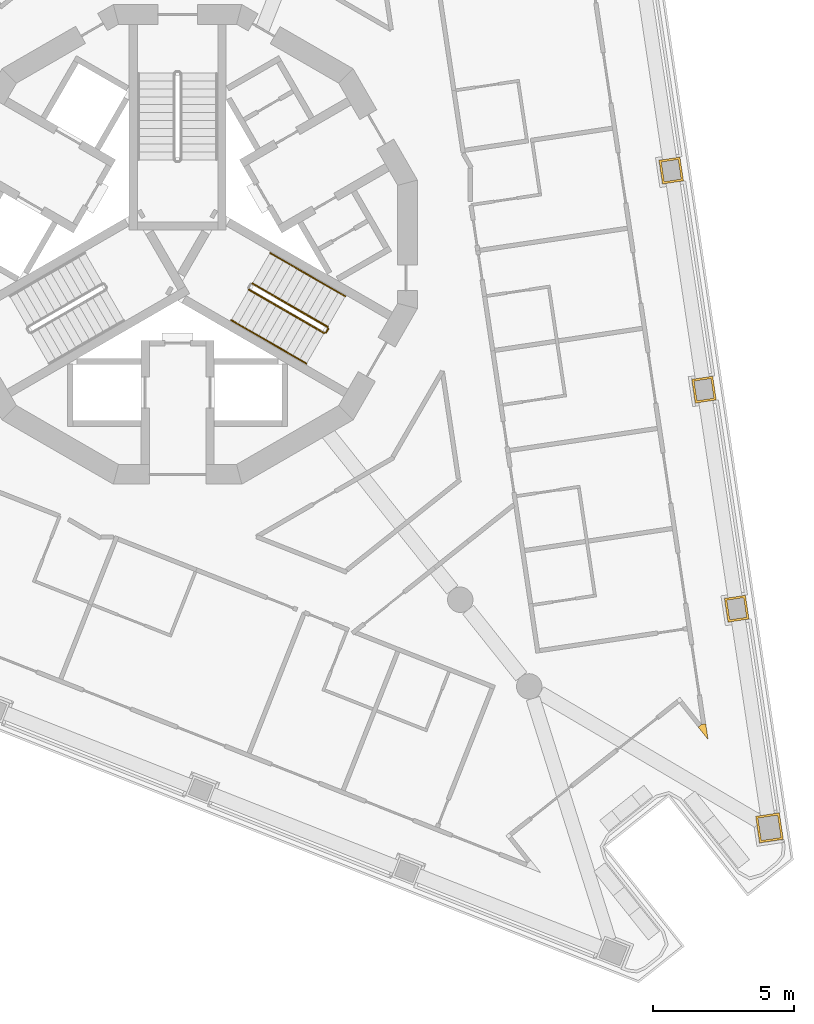
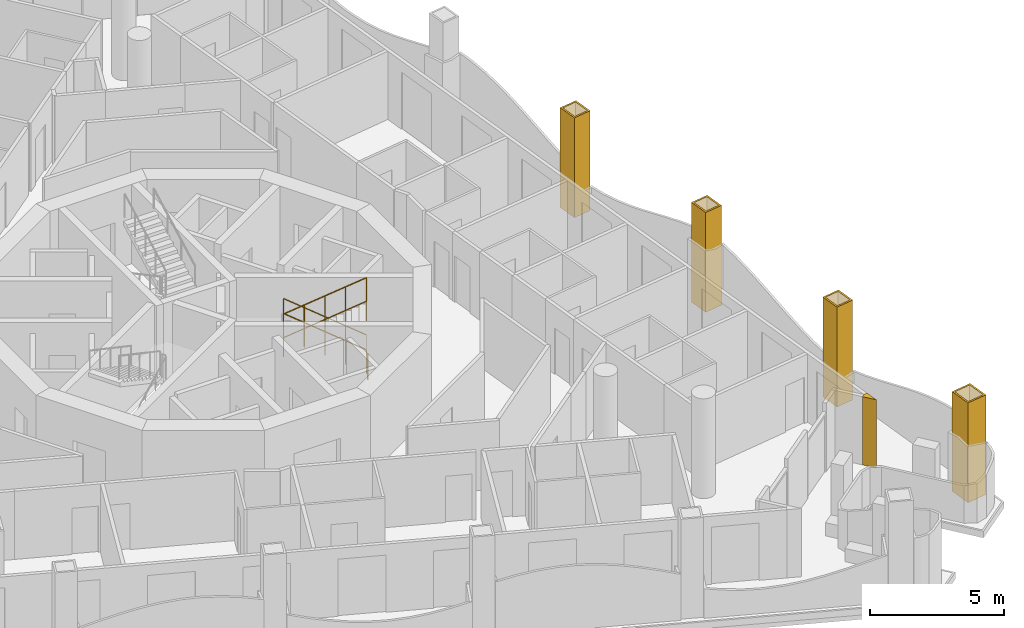
# One storey, part 14 of 16: 7 railings, 5 coverings.
"""IFC4 building model written with IfcOpenShell, lengths in metres."""

from ifc_helpers import new_model, si_unit, direction, frame, origin, origin_2d, place, context, subcontext, project, spatial, polyline, circle, outline, extrude, material, layer, layer_set, type_object, element, save


model = new_model("IFC4")

# Units and contexts
model_context = context("Model", 3, precision=1e-05, world=origin(), true_north=direction((0.0, 1.0)))
body_context = subcontext(model_context, "Body", "Model", "MODEL_VIEW")
ifc_project = project(units=[si_unit("LENGTHUNIT", "METRE"), si_unit("AREAUNIT", "SQUARE_METRE"), si_unit("VOLUMEUNIT", "CUBIC_METRE"), si_unit("PLANEANGLEUNIT", "RADIAN"), si_unit("MASSUNIT", "GRAM", prefix="KILO")], contexts=[model_context])

# Site, building, storey
site_placement = place(None, origin())
site = spatial("IfcSite", under=ifc_project, at=site_placement, CompositionType="ELEMENT")
building_placement = place(site_placement, origin())
building = spatial("IfcBuilding", under=site, at=building_placement, Name="Trine Commons Tower", CompositionType="ELEMENT")
storey_placement = place(building_placement, frame((0.0, 0.0, 226.800048828125)))
storey = spatial("IfcBuildingStorey", under=building, at=storey_placement, Name="L59", CompositionType="ELEMENT", Elevation=226.800048828125)

# Coverings
ifc_material_1 = material(Name="Aluminium-framed insulated wall panel", Category="aluminium")
ifc_layer_1 = layer(ifc_material_1, 0.14990234375)
ifc_layer_set_1 = layer_set([ifc_layer_1], Name="Aluminium-framed insulated wall panel")
covering_type_1 = type_object("IfcCoveringType", Name="Glazing corner post, aluminium", PredefinedType="CLADDING", material=ifc_layer_set_1)
covering_1_placement = place(storey_placement, origin())
element("IfcCovering", 1, at=covering_1_placement, inside=storey, type_object=covering_type_1, Name="Glazing corner post 6-06", PredefinedType="CLADDING", context=body_context, shape_type="SweptSolid", body=[
    extrude(outline(polyline([(98.4521484375, 45.390625), (98.800537109375, 44.95263671875), (98.718017578125, 45.506103515625), (98.569580078125, 45.484130859375), (98.4521484375, 45.390625)])), origin(), (0.0, 0.0, 1.0), 3.099853515625),
])
ifc_material_2 = material(Name="Limestone, honed", Category="masonry")
ifc_layer_2 = layer(ifc_material_2, 0.074951171875)
ifc_layer_set_2 = layer_set([ifc_layer_2], Name="Limestone, honed")
covering_type_2 = type_object("IfcCoveringType", Name="Limestone column cladding 75", PredefinedType="CLADDING", material=ifc_layer_set_2)
covering_2_placement = place(storey_placement, origin())
element("IfcCovering", 2, at=covering_2_placement, inside=storey, type_object=covering_type_2, Name="Limestone pier cladding 6-18", PredefinedType="CLADDING", context=body_context, shape_type="SweptSolid", body=[
    extrude(outline(polyline([(97.80419921875, 65.590576171875), (97.0625, 65.479736328125), (97.18798828125, 64.638916015625), (97.9296875, 64.75), (97.80419921875, 65.590576171875)]), holes=[polyline([(97.7412109375, 65.50537109375), (97.147705078125, 65.41650390625), (97.251220703125, 64.724365234375), (97.844482421875, 64.81298828125), (97.7412109375, 65.50537109375)])]), origin(), (0.0, 0.0, 1.0), 4.53662109375),
])
covering_3_placement = place(storey_placement, origin())
element("IfcCovering", 3, at=covering_3_placement, inside=storey, type_object=covering_type_2, Name="Limestone pier cladding 6-19", PredefinedType="CLADDING", context=body_context, shape_type="SweptSolid", body=[
    extrude(outline(polyline([(98.964599609375, 57.826171875), (98.222900390625, 57.71533203125), (98.348388671875, 56.87451171875), (99.090087890625, 56.985595703125), (98.964599609375, 57.826171875)]), holes=[polyline([(98.901611328125, 57.740966796875), (98.30810546875, 57.652099609375), (98.41162109375, 56.9599609375), (99.0048828125, 57.048583984375), (98.901611328125, 57.740966796875)])]), origin(), (0.0, 0.0, 1.0), 4.53662109375),
])
covering_4_placement = place(storey_placement, origin())
element("IfcCovering", 4, at=covering_4_placement, inside=storey, type_object=covering_type_2, Name="Limestone pier cladding 6-20", PredefinedType="CLADDING", context=body_context, shape_type="SweptSolid", body=[
    extrude(outline(polyline([(100.125, 50.06201171875), (99.38330078125, 49.950927734375), (99.5087890625, 49.1103515625), (100.25048828125, 49.22119140625), (100.125, 50.06201171875)]), holes=[polyline([(100.06201171875, 49.9765625), (99.468505859375, 49.887939453125), (99.572021484375, 49.195556640625), (100.165283203125, 49.2841796875), (100.06201171875, 49.9765625)])]), origin(), (0.0, 0.0, 1.0), 4.53662109375),
])
covering_5_placement = place(storey_placement, origin())
element("IfcCovering", 5, at=covering_5_placement, inside=storey, type_object=covering_type_2, Name="Limestone pier cladding 6-21", PredefinedType="CLADDING", context=body_context, shape_type="SweptSolid", body=[
    extrude(outline(polyline([(101.327392578125, 42.354248046875), (100.48681640625, 42.228759765625), (100.627197265625, 41.2890625), (101.4677734375, 41.414794921875), (101.327392578125, 42.354248046875)]), holes=[polyline([(101.264404296875, 42.26904296875), (100.572021484375, 42.16552734375), (100.690185546875, 41.37451171875), (101.382568359375, 41.477783203125), (101.264404296875, 42.26904296875)])]), origin(), (0.0, 0.0, 1.0), 4.53662109375),
])

# Railings
ifc_material_3 = material(Name="Stainless steel balustrade", Category="steel")
railing_type_1 = type_object("IfcRailingType", Name="Stair guard, steel balustrade 1100", PredefinedType="GUARDRAIL", material=ifc_material_3)
railing_1_placement = place(storey_placement, frame((85.31982421875, 59.572998046875, 0.14990234375)))
element("IfcRailing", 6, at=railing_1_placement, inside=storey, type_object=railing_type_1, Name="L59 ST3C stair guard 1", PredefinedType="GUARDRAIL", context=body_context, shape_type="SweptSolid", body=[
    extrude(circle(Radius=0.02392578125, at=origin_2d()), frame((0.0, 0.0, 1.076171875), z_axis=(-0.763379768245, 0.440728498818, 0.472239049384), x_axis=(-0.499992328818, -0.866029832698, 0.0)), (0.0, 0.0, 1.0), 3.494384765625),
    extrude(circle(Radius=0.02099609375, at=origin_2d()), origin(), (0.0, 0.0, 1.0), 1.052001953125),
    extrude(circle(Radius=0.02099609375, at=origin_2d()), frame((-0.6669921875, 0.385009765625, 0.41259765625)), (0.0, 0.0, 1.0), 1.052001953125),
    extrude(circle(Radius=0.02099609375, at=origin_2d()), frame((-1.333740234375, 0.77001953125, 0.8251953125)), (0.0, 0.0, 1.0), 1.052001953125),
    extrude(circle(Radius=0.02099609375, at=origin_2d()), frame((-2.00048828125, 1.155029296875, 1.237548828125)), (0.0, 0.0, 1.0), 1.052001953125),
    extrude(circle(Radius=0.02099609375, at=origin_2d()), frame((-2.66748046875, 1.5400390625, 1.650146484375)), (0.0, 0.0, 1.0), 1.052001953125),
])
railing_2_placement = place(storey_placement, frame((82.52734375, 60.896484375, 1.949951171875)))
element("IfcRailing", 7, at=railing_2_placement, inside=storey, type_object=railing_type_1, Name="L59 ST3C stair guard 3", PredefinedType="GUARDRAIL", context=body_context, shape_type="SweptSolid", body=[
    extrude(circle(Radius=0.02392578125, at=origin_2d()), frame((0.0, 0.0, 1.076171875), z_axis=(0.76340495495, -0.440743040072, 0.472184759798), x_axis=(0.499992328818, 0.866029832698, 0.0)), (0.0, 0.0, 1.0), 3.494140625),
    extrude(circle(Radius=0.02099609375, at=origin_2d()), origin(), (0.0, 0.0, 1.0), 1.052001953125),
    extrude(circle(Radius=0.02099609375, at=origin_2d()), frame((0.6669921875, -0.385009765625, 0.41259765625)), (0.0, 0.0, 1.0), 1.052001953125),
    extrude(circle(Radius=0.02099609375, at=origin_2d()), frame((1.333740234375, -0.77001953125, 0.824951171875)), (0.0, 0.0, 1.0), 1.052001953125),
    extrude(circle(Radius=0.02099609375, at=origin_2d()), frame((2.00048828125, -1.155029296875, 1.2373046875)), (0.0, 0.0, 1.0), 1.052001953125),
    extrude(circle(Radius=0.02099609375, at=origin_2d()), frame((2.66748046875, -1.5400390625, 1.64990234375)), (0.0, 0.0, 1.0), 1.052001953125),
])
railing_3_placement = place(storey_placement, frame((85.338134765625, 59.504638671875, 0.0)))
element("IfcRailing", 8, at=railing_3_placement, inside=storey, type_object=railing_type_1, Name="L59 ST3C stair guard 4", PredefinedType="GUARDRAIL", context=body_context, shape_type="SweptSolid", body=[
    extrude(circle(Radius=0.02392578125, at=origin_2d()), frame((0.0, 0.0, 1.076171875), z_axis=(-0.499816412211, -0.866131372301, 0.0), x_axis=(0.866131372301, -0.499816412211, 0.0)), (0.0, 0.0, 1.0), 0.14990234375),
    extrude(circle(Radius=0.02099609375, at=origin_2d()), origin(), (0.0, 0.0, 1.0), 1.052001953125),
    extrude(circle(Radius=0.02099609375, at=origin_2d()), frame((-0.074951171875, -0.1298828125, 0.0)), (0.0, 0.0, 1.0), 1.052001953125),
])
ifc_material_4 = material(Name="Stainless steel handrail", Category="steel")
railing_type_2 = type_object("IfcRailingType", Name="Stair handrail, steel 900", PredefinedType="HANDRAIL", material=ifc_material_4)
railing_4_placement = place(storey_placement, frame((85.94482421875, 60.655517578125, 0.14990234375)))
element("IfcRailing", 9, at=railing_4_placement, inside=storey, type_object=railing_type_2, Name="L59 ST3C stair handrail 1", PredefinedType="HANDRAIL", context=body_context, shape_type="SweptSolid", body=[
    extrude(circle(Radius=0.02099609375, at=origin_2d()), frame((0.0, 0.0, 0.87890625), z_axis=(-0.76340495495, 0.440743040072, 0.472184759798), x_axis=(-0.499992328818, -0.866029832698, 0.0)), (0.0, 0.0, 1.0), 1.7470703125),
    extrude(circle(Radius=0.01513671875, at=origin_2d()), origin(), (0.0, 0.0, 1.0), 0.85791015625),
    extrude(circle(Radius=0.01513671875, at=origin_2d()), frame((-0.6669921875, 0.385009765625, 0.41259765625)), (0.0, 0.0, 1.0), 0.85791015625),
    extrude(circle(Radius=0.01513671875, at=origin_2d()), frame((-1.333740234375, 0.77001953125, 0.824951171875)), (0.0, 0.0, 1.0), 0.85791015625),
])
railing_5_placement = place(storey_placement, frame((84.611083984375, 61.425537109375, 0.974853515625)))
element("IfcRailing", 10, at=railing_5_placement, inside=storey, type_object=railing_type_2, Name="L59 ST3C stair handrail 2", PredefinedType="HANDRAIL", context=body_context, shape_type="SweptSolid", body=[
    extrude(circle(Radius=0.02099609375, at=origin_2d()), frame((0.0, 0.0, 0.87890625), z_axis=(-0.763354580307, 0.440713956853, 0.472293333596), x_axis=(-0.499992328818, -0.866029832698, 0.0)), (0.0, 0.0, 1.0), 1.747314453125),
    extrude(circle(Radius=0.01513671875, at=origin_2d()), origin(), (0.0, 0.0, 1.0), 0.85791015625),
    extrude(circle(Radius=0.01513671875, at=origin_2d()), frame((-0.6669921875, 0.385009765625, 0.41259765625)), (0.0, 0.0, 1.0), 0.85791015625),
    extrude(circle(Radius=0.01513671875, at=origin_2d()), frame((-1.333740234375, 0.77001953125, 0.8251953125)), (0.0, 0.0, 1.0), 0.85791015625),
])
for number, where, name in (
    (11, (81.90234375, 59.81396484375, 1.949951171875), "L59 ST3C stair handrail 3"),
    (12, (83.236083984375, 59.0439453125, 2.77490234375), "L59 ST3C stair handrail 4"),
):
    element("IfcRailing", number, at=place(storey_placement, frame(where)), inside=storey, type_object=railing_type_2, Name=name, PredefinedType="HANDRAIL", context=body_context, shape_type="SweptSolid", body=[
        extrude(circle(Radius=0.02099609375, at=origin_2d()), frame((0.0, 0.0, 0.87890625), z_axis=(0.76340495495, -0.440743040072, 0.472184759798), x_axis=(0.499992328818, 0.866029832698, 0.0)), (0.0, 0.0, 1.0), 1.7470703125),
        extrude(circle(Radius=0.01513671875, at=origin_2d()), origin(), (0.0, 0.0, 1.0), 0.85791015625),
        extrude(circle(Radius=0.01513671875, at=origin_2d()), frame((0.6669921875, -0.385009765625, 0.41259765625)), (0.0, 0.0, 1.0), 0.85791015625),
        extrude(circle(Radius=0.01513671875, at=origin_2d()), frame((1.333740234375, -0.77001953125, 0.824951171875)), (0.0, 0.0, 1.0), 0.85791015625),
    ])

save(model, "model.ifc")
